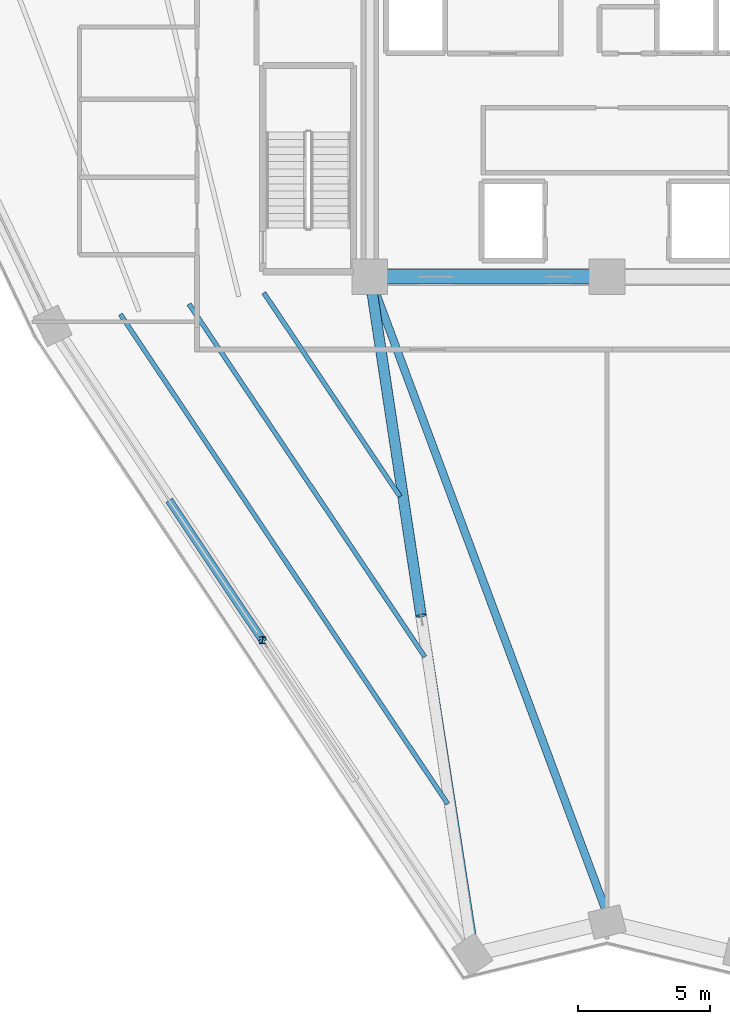
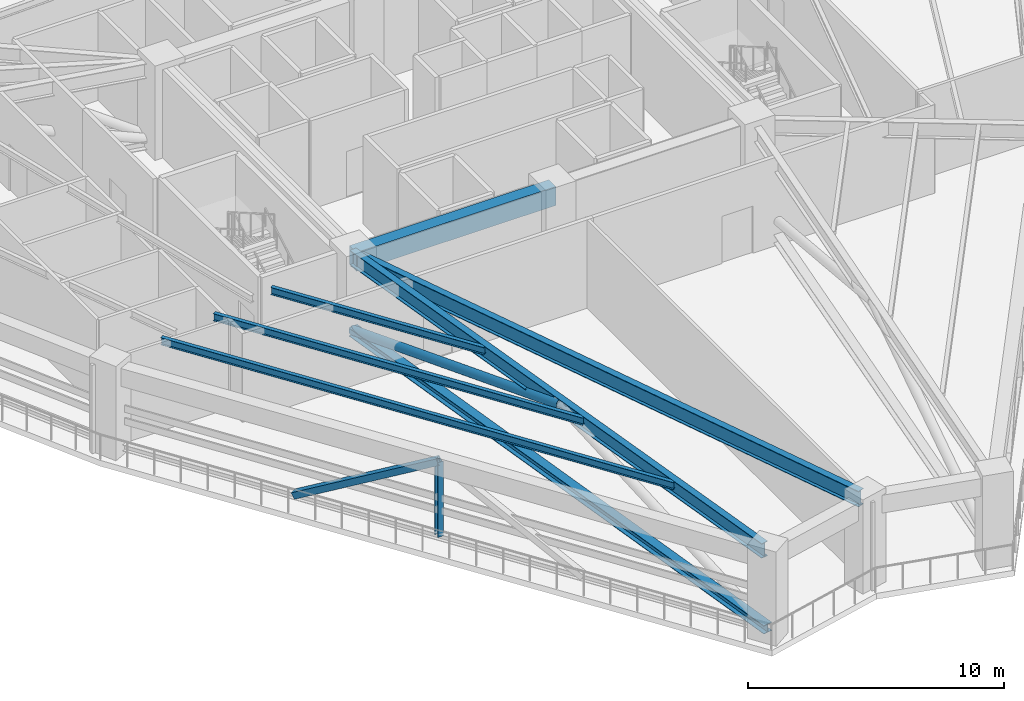
# One storey, part 2 of 22: 6 beams, 4 members.
"""IFC4 building model written with IfcOpenShell, lengths in metres."""

from ifc_helpers import new_model, si_unit, direction, frame, origin, origin_2d, place, context, subcontext, project, spatial, rectangle, hollow_rectangle, hollow_circle, i_section, extrude, source, transform, mapped, material, material_profile, profile_set, type_object, element, save


model = new_model("IFC4")

# Units and contexts
model_context = context("Model", 3, precision=1e-05, world=origin(), true_north=direction((0.0, 1.0)))
body_context = subcontext(model_context, "Body", "Model", "MODEL_VIEW")
ifc_project = project(units=[si_unit("LENGTHUNIT", "METRE"), si_unit("AREAUNIT", "SQUARE_METRE"), si_unit("VOLUMEUNIT", "CUBIC_METRE"), si_unit("PLANEANGLEUNIT", "RADIAN"), si_unit("MASSUNIT", "GRAM", prefix="KILO")], contexts=[model_context])

# Site, building, storey
site_placement = place(None, origin())
site = spatial("IfcSite", under=ifc_project, at=site_placement, CompositionType="ELEMENT")
building_placement = place(site_placement, origin())
building = spatial("IfcBuilding", under=site, at=building_placement, Name="Liaohun Quay Tower", CompositionType="ELEMENT")
storey_placement = place(building_placement, frame((0.0, 0.0, 277.5)))
storey = spatial("IfcBuildingStorey", under=building, at=storey_placement, Name="L72", CompositionType="ELEMENT", Elevation=277.5)

# Member
ifc_material_1 = material(Name="Steel Q355D", Category="steel")
ifc_material_profile_1 = material_profile(ifc_material_1, i_section(OverallWidth=0.25, OverallDepth=0.25, WebThickness=0.009033203125, FlangeThickness=0.013916015625, at=origin_2d()), Name="HW250x250x9x14")
ifc_profile_set_1 = profile_set([ifc_material_profile_1], Name="Steel Q355D")
member_type_1 = type_object("IfcMemberType", Name="MEM-BLT-PST", PredefinedType="POST", material=ifc_profile_set_1)
shared_shape_1 = source(origin(), body_context, "Body", "SweptSolid", [
    extrude(i_section(OverallWidth=0.25, OverallDepth=0.25, WebThickness=0.009033203125, FlangeThickness=0.013916015625, at=origin_2d()), origin(), (0.0, 0.0, 1.0), 3.56982421875),
])
member_1_placement = place(storey_placement, frame((46.927978515625, 32.7119140625, 0.35009765625), z_axis=(0.0, 0.0, 1.0), x_axis=(1.0, 0.0, 0.0)))
element("IfcMember", 1, at=member_1_placement, inside=storey, type_object=member_type_1, Name="L72 Belt Truss Vertical Post BP-1-01", PredefinedType="POST", context=body_context, shape_type="MappedRepresentation", body=[
    mapped(shared_shape_1, transform((0.0, 0.0, 0.0), x_axis=(1.0, 0.0, 0.0), y_axis=(0.0, 1.0, 0.0), z_axis=(0.0, 0.0, 1.0), scale=1.0)),
])

# Beams
ifc_material_2 = material(Name="Concrete C55", Category="concrete")
ifc_material_profile_2 = material_profile(ifc_material_2, rectangle(XDim=0.550048828125, YDim=0.89990234375, at=origin_2d()), Name="RC550x900")
ifc_profile_set_2 = profile_set([ifc_material_profile_2], Name="Concrete C55")
beam_type_1 = type_object("IfcBeamType", Name="BM-CPL-2", PredefinedType="LINTEL", material=ifc_profile_set_2)
shared_shape_2 = source(origin(), body_context, "Body", "SweptSolid", [
    extrude(rectangle(XDim=0.550048828125, YDim=0.89990234375, at=origin_2d()), origin(), (0.0, 0.0, 1.0), 9.0),
])
beam_1_placement = place(storey_placement, frame((51.0, 46.5, 3.77001953125), z_axis=(1.0, 0.0, 0.0), x_axis=(0.0, 1.0, 0.0)))
element("IfcBeam", 2, at=beam_1_placement, inside=storey, type_object=beam_type_1, Name="L72 Core Coupling/Ring Beam CC1-CC2", PredefinedType="LINTEL", context=body_context, shape_type="MappedRepresentation", body=[
    mapped(shared_shape_2, transform((0.0, 0.0, 0.0), x_axis=(1.0, 0.0, 0.0), y_axis=(0.0, 1.0, 0.0), z_axis=(0.0, 0.0, 1.0), scale=1.0)),
])
ifc_material_profile_3 = material_profile(ifc_material_1, i_section(OverallWidth=0.300048828125, OverallDepth=0.699951171875, WebThickness=0.012939453125, FlangeThickness=0.02392578125, at=origin_2d()), Name="HN700x300x13x24")
ifc_profile_set_3 = profile_set([ifc_material_profile_3], Name="Steel Q355D")
beam_type_2 = type_object("IfcBeamType", Name="BM-RAD-U1", PredefinedType="BEAM", material=ifc_profile_set_3)
shared_shape_3 = source(origin(), body_context, "Body", "SweptSolid", [
    extrude(i_section(OverallWidth=0.300048828125, OverallDepth=0.699951171875, WebThickness=0.012939453125, FlangeThickness=0.02392578125, at=origin_2d()), origin(), (0.0, 0.0, 1.0), 25.680908203125),
])
beam_2_placement = place(storey_placement, frame((51.0, 46.5, 3.8701171875), z_axis=(0.15365647033, -0.988124328779, 0.0), x_axis=(0.988124328779, 0.15365647033, 0.0)))
element("IfcBeam", 3, at=beam_2_placement, inside=storey, type_object=beam_type_2, Name="L72 Radial Primary Girder CC1-PC01", PredefinedType="BEAM", context=body_context, shape_type="MappedRepresentation", body=[
    mapped(shared_shape_3, transform((0.0, 0.0, 0.0), x_axis=(1.0, 0.0, 0.0), y_axis=(0.0, 1.0, 0.0), z_axis=(0.0, 0.0, 1.0), scale=1.0)),
])
ifc_material_profile_4 = material_profile(ifc_material_1, i_section(OverallWidth=0.300048828125, OverallDepth=0.75, WebThickness=0.013916015625, FlangeThickness=0.02587890625, at=origin_2d()), Name="HN750x300x14x26")
ifc_profile_set_4 = profile_set([ifc_material_profile_4], Name="Steel Q355D")
beam_type_3 = type_object("IfcBeamType", Name="BM-RAD-M2", PredefinedType="BEAM", material=ifc_profile_set_4)
shared_shape_4 = source(origin(), body_context, "Body", "SweptSolid", [
    extrude(i_section(OverallWidth=0.300048828125, OverallDepth=0.75, WebThickness=0.013916015625, FlangeThickness=0.02587890625, at=origin_2d()), origin(), (0.0, 0.0, 1.0), 25.778076171875),
])
beam_3_placement = place(storey_placement, frame((51.0, 46.5, 3.844970703125), z_axis=(0.34913299432, -0.937073184056, 0.0), x_axis=(0.937073184056, 0.34913299432, 0.0)))
element("IfcBeam", 4, at=beam_3_placement, inside=storey, type_object=beam_type_3, Name="L72 Radial Primary Girder CC1-PC12", PredefinedType="BEAM", context=body_context, shape_type="MappedRepresentation", body=[
    mapped(shared_shape_4, transform((0.0, 0.0, 0.0), x_axis=(1.0, 0.0, 0.0), y_axis=(0.0, 1.0, 0.0), z_axis=(0.0, 0.0, 1.0), scale=1.0)),
])
ifc_material_profile_5 = material_profile(ifc_material_1, i_section(OverallWidth=0.175048828125, OverallDepth=0.35009765625, WebThickness=0.007080078125, FlangeThickness=0.010986328125, at=origin_2d()), Name="HN350x175x7x11")
ifc_profile_set_5 = profile_set([ifc_material_profile_5], Name="Steel Q355D")
beam_type_4 = type_object("IfcBeamType", Name="BM-SEC-J3", PredefinedType="JOIST", material=ifc_profile_set_5)
shared_shape_5 = source(origin(), body_context, "Body", "SweptSolid", [
    extrude(i_section(OverallWidth=0.175048828125, OverallDepth=0.35009765625, WebThickness=0.007080078125, FlangeThickness=0.010986328125, at=origin_2d()), origin(), (0.0, 0.0, 1.0), 9.2978515625),
])
beam_4_placement = place(storey_placement, frame((52.14404296875, 38.16796875, 4.044921875), z_axis=(-0.555717771544, 0.831371011276, 0.0), x_axis=(-0.831371011276, -0.555717771544, 0.0)))
element("IfcBeam", 5, at=beam_4_placement, inside=storey, type_object=beam_type_4, Name="L72 Wing Secondary Floor Joist SJ-01", PredefinedType="JOIST", context=body_context, shape_type="MappedRepresentation", body=[
    mapped(shared_shape_5, transform((0.0, 0.0, 0.0), x_axis=(1.0, 0.0, 0.0), y_axis=(0.0, 1.0, 0.0), z_axis=(0.0, 0.0, 1.0), scale=1.0)),
])
shared_shape_6 = source(origin(), body_context, "Body", "SweptSolid", [
    extrude(i_section(OverallWidth=0.175048828125, OverallDepth=0.35009765625, WebThickness=0.007080078125, FlangeThickness=0.010986328125, at=origin_2d()), origin(), (0.0, 0.0, 1.0), 16.1123046875),
])
beam_5_placement = place(storey_placement, frame((53.091064453125, 32.077880859375, 4.044921875), z_axis=(-0.555734802542, 0.831359626903, 0.0), x_axis=(-0.831359626903, -0.555734802542, 0.0)))
element("IfcBeam", 6, at=beam_5_placement, inside=storey, type_object=beam_type_4, Name="L72 Wing Secondary Floor Joist SJ-02", PredefinedType="JOIST", context=body_context, shape_type="MappedRepresentation", body=[
    mapped(shared_shape_6, transform((0.0, 0.0, 0.0), x_axis=(1.0, 0.0, 0.0), y_axis=(0.0, 1.0, 0.0), z_axis=(0.0, 0.0, 1.0), scale=1.0)),
])
shared_shape_7 = source(origin(), body_context, "Body", "SweptSolid", [
    extrude(i_section(OverallWidth=0.175048828125, OverallDepth=0.35009765625, WebThickness=0.007080078125, FlangeThickness=0.010986328125, at=origin_2d()), origin(), (0.0, 0.0, 1.0), 22.358154296875),
])
beam_6_placement = place(storey_placement, frame((53.958984375, 26.4951171875, 4.044921875), z_axis=(-0.555725366501, 0.831365934488, 0.0), x_axis=(-0.831365934488, -0.555725366501, 0.0)))
element("IfcBeam", 7, at=beam_6_placement, inside=storey, type_object=beam_type_4, Name="L72 Wing Secondary Floor Joist SJ-03", PredefinedType="JOIST", context=body_context, shape_type="MappedRepresentation", body=[
    mapped(shared_shape_7, transform((0.0, 0.0, 0.0), x_axis=(1.0, 0.0, 0.0), y_axis=(0.0, 1.0, 0.0), z_axis=(0.0, 0.0, 1.0), scale=1.0)),
])

# Members
ifc_material_3 = material(Name="Steel Q420D", Category="steel")
ifc_material_profile_6 = material_profile(ifc_material_3, i_section(OverallWidth=0.407958984375, OverallDepth=0.39990234375, WebThickness=0.02099609375, FlangeThickness=0.02099609375, at=origin_2d()), Name="HW400x408x21x21")
ifc_profile_set_6 = profile_set([ifc_material_profile_6], Name="Steel Q420D")
member_type_2 = type_object("IfcMemberType", Name="MEM-OUT-CH2", PredefinedType="CHORD", material=ifc_profile_set_6)
shared_shape_8 = source(origin(), body_context, "Body", "SweptSolid", [
    extrude(i_section(OverallWidth=0.407958984375, OverallDepth=0.39990234375, WebThickness=0.02099609375, FlangeThickness=0.02099609375, at=origin_2d()), origin(), (0.0, 0.0, 1.0), 26.009033203125),
])
member_2_placement = place(storey_placement, frame((51.0, 46.5, 0.35009765625), z_axis=(0.149644377799, -0.988739885002, 0.0), x_axis=(0.988739885002, 0.149644377799, 0.0)))
element("IfcMember", 8, at=member_2_placement, inside=storey, type_object=member_type_2, Name="L72 Outrigger Bottom Chord OC-01", PredefinedType="CHORD", context=body_context, shape_type="MappedRepresentation", body=[
    mapped(shared_shape_8, transform((0.0, 0.0, 0.0), x_axis=(1.0, 0.0, 0.0), y_axis=(0.0, 1.0, 0.0), z_axis=(0.0, 0.0, 1.0), scale=1.0)),
])
ifc_material_profile_7 = material_profile(ifc_material_3, hollow_circle(Radius=0.202880859375, WallThickness=0.01611328125, at=origin_2d()), Name="CHS406x16")
ifc_profile_set_7 = profile_set([ifc_material_profile_7], Name="Steel Q420D")
member_type_3 = type_object("IfcMemberType", Name="MEM-OUT-DG2", PredefinedType="BRACE", material=ifc_profile_set_7)
shared_shape_9 = source(origin(), body_context, "Body", "SweptSolid", [
    extrude(hollow_circle(Radius=0.202880859375, WallThickness=0.01611328125, at=origin_2d()), origin(), (0.0, 0.0, 1.0), 13.4853515625),
])
member_3_placement = place(storey_placement, frame((51.0, 46.5, 0.35009765625), z_axis=(0.144307313007, -0.953467437817, 0.264717291531), x_axis=(0.988739674796, 0.149645766677, 0.0)))
element("IfcMember", 9, at=member_3_placement, inside=storey, type_object=member_type_3, Name="L72 Outrigger Diagonal OD-01A", PredefinedType="BRACE", context=body_context, shape_type="MappedRepresentation", body=[
    mapped(shared_shape_9, transform((0.0, 0.0, 0.0), x_axis=(1.0, 0.0, 0.0), y_axis=(0.0, 1.0, 0.0), z_axis=(0.0, 0.0, 1.0), scale=1.0)),
])
ifc_material_profile_8 = material_profile(ifc_material_1, hollow_rectangle(XDim=0.300048828125, YDim=0.300048828125, WallThickness=0.013916015625, at=origin_2d()), Name="SHS300x300x14")
ifc_profile_set_8 = profile_set([ifc_material_profile_8], Name="Steel Q355D")
member_type_4 = type_object("IfcMemberType", Name="MEM-BLT-DG3", PredefinedType="BRACE", material=ifc_profile_set_8)
shared_shape_10 = source(origin(), body_context, "Body", "SweptSolid", [
    extrude(hollow_rectangle(XDim=0.300048828125, YDim=0.300048828125, WallThickness=0.013916015625, at=origin_2d()), origin(), (0.0, 0.0, 1.0), 7.25),
])
member_4_placement = place(storey_placement, frame((46.927978515625, 32.7119140625, 3.919921875), z_axis=(-0.483295115296, 0.723865091863, -0.492387205676), x_axis=(-0.831669155512, -0.555271479341, 0.0)))
element("IfcMember", 10, at=member_4_placement, inside=storey, type_object=member_type_4, Name="L72 Belt Truss Diagonal BD-01B", PredefinedType="BRACE", context=body_context, shape_type="MappedRepresentation", body=[
    mapped(shared_shape_10, transform((0.0, 0.0, 0.0), x_axis=(1.0, 0.0, 0.0), y_axis=(0.0, 1.0, 0.0), z_axis=(0.0, 0.0, 1.0), scale=1.0)),
])

save(model, "model.ifc")
